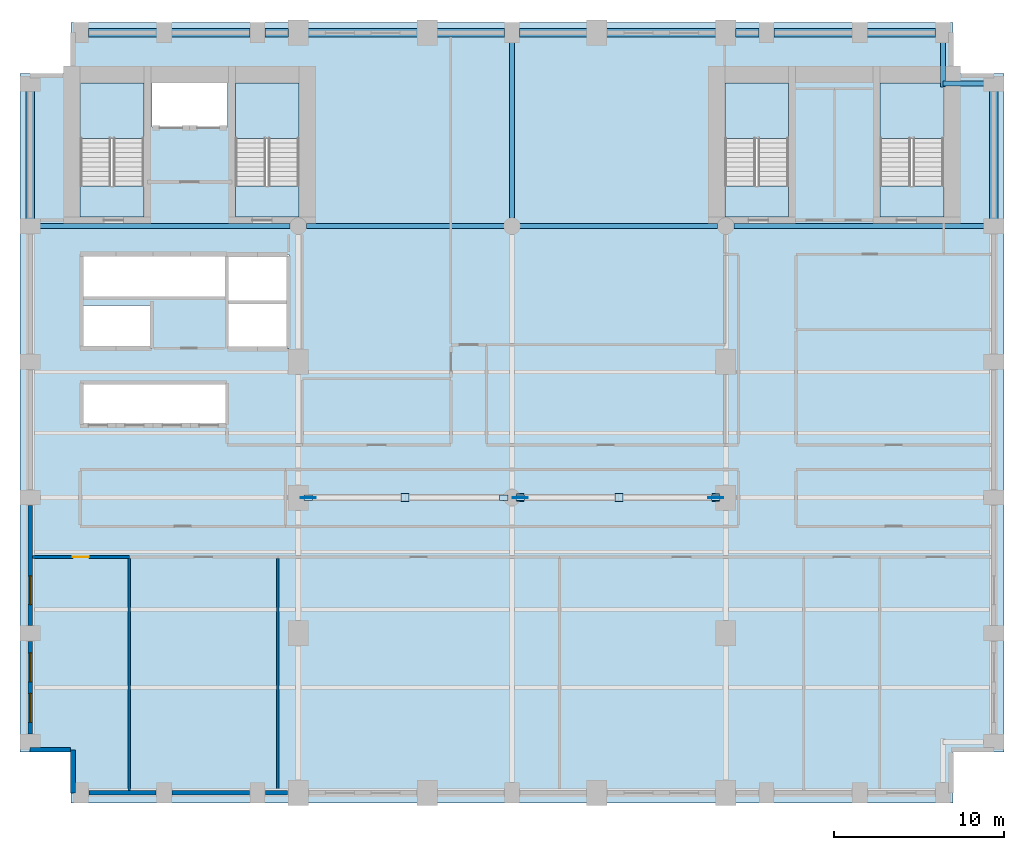
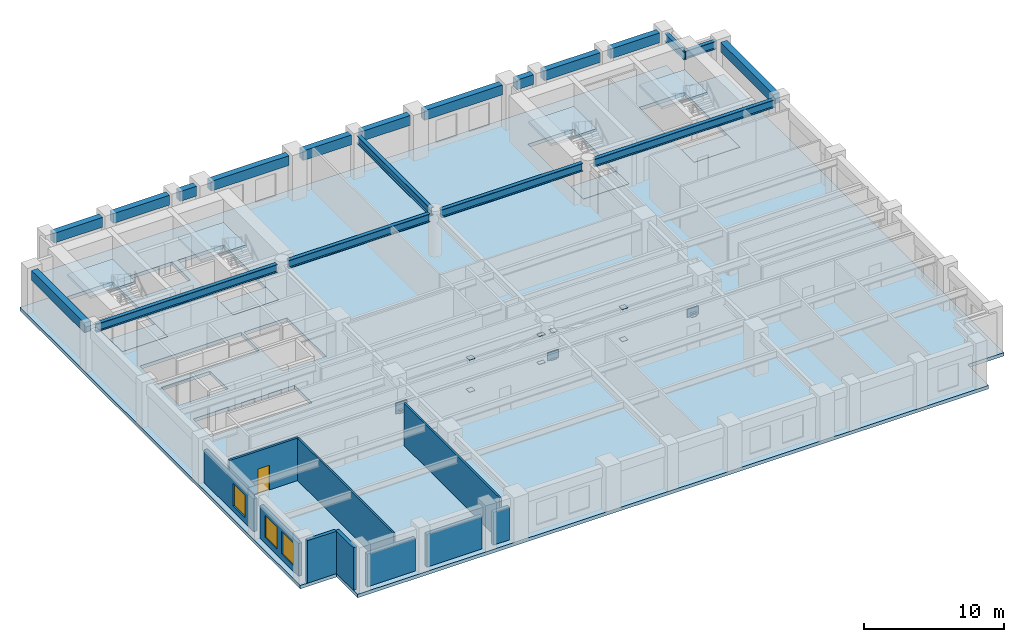
# One storey, part 4 of 10: 19 beams, 16 plates, 10 walls, 9 slabs, 3 windows, 1 door, 4 openings, 4 elements without a shape of their own.
"""IFC4 building model written with IfcOpenShell, lengths in metres."""

from ifc_helpers import new_model, si_unit, direction, frame, frame_2d, origin, origin_2d, place, context, subcontext, project, spatial, polyline, rectangle, i_section, outline, extrude, material, layer, layer_set, material_profile, profile_set, type_object, element, fill, aggregate, save


model = new_model("IFC4")

# Units and contexts
model_context = context("Model", 3, precision=1e-05, world=origin(), true_north=direction((0.0, 1.0)))
body_context = subcontext(model_context, "Body", "Model", "MODEL_VIEW")
ifc_project = project(units=[si_unit("LENGTHUNIT", "METRE"), si_unit("AREAUNIT", "SQUARE_METRE"), si_unit("VOLUMEUNIT", "CUBIC_METRE"), si_unit("PLANEANGLEUNIT", "RADIAN"), si_unit("MASSUNIT", "GRAM", prefix="KILO")], contexts=[model_context])

# Site, building, storey
site_placement = place(None, origin())
site = spatial("IfcSite", under=ifc_project, at=site_placement, CompositionType="ELEMENT")
building_placement = place(site_placement, origin())
building = spatial("IfcBuilding", under=site, at=building_placement, Name="Sulina Concourse Tower", CompositionType="ELEMENT")
storey_placement = place(building_placement, frame((0.0, 0.0, 62.60009765625)))
storey = spatial("IfcBuildingStorey", under=building, at=storey_placement, Name="L15", CompositionType="ELEMENT", Elevation=62.60009765625)

# Beams
ifc_material_1 = material(Name="Steel S355", Category="steel")
ifc_material_profile_1 = material_profile(ifc_material_1, i_section(OverallWidth=0.300048828125, OverallDepth=0.699951171875, WebThickness=0.01708984375, FlangeThickness=0.031982421875, at=origin_2d()), Name="HE 700 B")
ifc_profile_set_1 = profile_set([ifc_material_profile_1], Name="Steel S355")
beam_type_1 = type_object("IfcBeamType", Name="Floor Primary Girder Zone 1 HE700B", PredefinedType="BEAM", material=ifc_profile_set_1)
beam_1_placement = place(storey_placement, frame((54.39990234375, 42.39990234375, 3.349853515625), z_axis=(1.0, 0.0, 0.0), x_axis=(0.0, 1.0, 0.0)))
element("IfcBeam", 1, at=beam_1_placement, inside=storey, type_object=beam_type_1, Name="TIE-NE-L15", PredefinedType="BEAM", context=body_context, shape_type="SweptSolid", body=[
    extrude(i_section(OverallWidth=0.300048828125, OverallDepth=0.699951171875, WebThickness=0.01708984375, FlangeThickness=0.031982421875, at=origin_2d()), origin(), (0.0, 0.0, 1.0), 2.570068359375),
])
beam_2_placement = place(storey_placement, frame((54.39990234375, 42.199951171875, 3.349853515625), z_axis=(0.0, 1.0, 0.0), x_axis=(-1.0, 0.0, 0.0)))
element("IfcBeam", 2, at=beam_2_placement, inside=storey, type_object=beam_type_1, Name="TIE-NEN-L15", PredefinedType="BEAM", context=body_context, shape_type="SweptSolid", body=[
    extrude(i_section(OverallWidth=0.300048828125, OverallDepth=0.699951171875, WebThickness=0.01708984375, FlangeThickness=0.031982421875, at=origin_2d()), origin(), (0.0, 0.0, 1.0), 2.77001953125),
])
beam_3_placement = place(storey_placement, frame((1.030029296875, 34.0, 3.349853515625), z_axis=(1.0, 0.0, 0.0), x_axis=(0.0, 1.0, 0.0)))
element("IfcBeam", 3, at=beam_3_placement, inside=storey, type_object=beam_type_1, Name="FG-EWN1-L15", PredefinedType="BEAM", context=body_context, shape_type="SweptSolid", body=[
    extrude(i_section(OverallWidth=0.300048828125, OverallDepth=0.699951171875, WebThickness=0.01708984375, FlangeThickness=0.031982421875, at=origin_2d()), origin(), (0.0, 0.0, 1.0), 14.889892578125),
])
for number, where, z_axis, x_axis, name in (
    (4, (16.8798828125, 34.0, 3.349853515625), (1.0, 0.0, 0.0), (0.0, 1.0, 0.0), "FG-EWN2-L15"),
    (5, (29.47998046875, 34.0, 3.349853515625), (1.0, 0.0, 0.0), (0.0, 1.0, 0.0), "FG-EWN3-L15"),
):
    element("IfcBeam", number, at=place(storey_placement, frame(where, z_axis=z_axis, x_axis=x_axis)), inside=storey, type_object=beam_type_1, Name=name, PredefinedType="BEAM", context=body_context, shape_type="SweptSolid", body=[
        extrude(i_section(OverallWidth=0.300048828125, OverallDepth=0.699951171875, WebThickness=0.01708984375, FlangeThickness=0.031982421875, at=origin_2d()), origin(), (0.0, 0.0, 1.0), 11.64013671875),
    ])
beam_4_placement = place(storey_placement, frame((42.080078125, 34.0, 3.349853515625), z_axis=(1.0, 0.0, 0.0), x_axis=(0.0, 1.0, 0.0)))
element("IfcBeam", 6, at=beam_4_placement, inside=storey, type_object=beam_type_1, Name="FG-EWN4-L15", PredefinedType="BEAM", context=body_context, shape_type="SweptSolid", body=[
    extrude(i_section(OverallWidth=0.300048828125, OverallDepth=0.699951171875, WebThickness=0.01708984375, FlangeThickness=0.031982421875, at=origin_2d()), origin(), (0.0, 0.0, 1.0), 14.889892578125),
])
beam_5_placement = place(storey_placement, frame((29.0, 34.47998046875, 3.349853515625), z_axis=(0.0, 1.0, 0.0), x_axis=(-1.0, 0.0, 0.0)))
element("IfcBeam", 7, at=beam_5_placement, inside=storey, type_object=beam_type_1, Name="FG-NSC-29-L15", PredefinedType="BEAM", context=body_context, shape_type="SweptSolid", body=[
    extrude(i_section(OverallWidth=0.300048828125, OverallDepth=0.699951171875, WebThickness=0.01708984375, FlangeThickness=0.031982421875, at=origin_2d()), origin(), (0.0, 0.0, 1.0), 10.489990234375),
])
ifc_material_2 = material(Name="Precast concrete C50/60", Category="concrete")
ifc_material_profile_2 = material_profile(ifc_material_2, rectangle(XDim=0.5, YDim=0.85009765625, at=origin_2d()), Name="RC 500x850")
ifc_profile_set_2 = profile_set([ifc_material_profile_2], Name="Precast concrete C50/60")
beam_type_2 = type_object("IfcBeamType", Name="Lower Precast Spandrel Edge Beam 500x850", PredefinedType="BEAM", material=ifc_profile_set_2)
beam_6_placement = place(storey_placement, frame((4.030029296875, 45.39990234375, 3.27490234375), z_axis=(1.0, 0.0, 0.0), x_axis=(0.0, 1.0, 0.0)))
element("IfcBeam", 8, at=beam_6_placement, inside=storey, type_object=beam_type_2, Name="SP-N1-L15", PredefinedType="BEAM", context=body_context, shape_type="SweptSolid", body=[
    extrude(rectangle(XDim=0.5, YDim=0.85009765625, at=origin_2d()), origin(), (0.0, 0.0, 1.0), 4.0400390625),
])
beam_7_placement = place(storey_placement, frame((8.929931640625, 45.39990234375, 3.27490234375), z_axis=(1.0, 0.0, 0.0), x_axis=(0.0, 1.0, 0.0)))
element("IfcBeam", 9, at=beam_7_placement, inside=storey, type_object=beam_type_2, Name="SP-N2-L15", PredefinedType="BEAM", context=body_context, shape_type="SweptSolid", body=[
    extrude(rectangle(XDim=0.5, YDim=0.85009765625, at=origin_2d()), origin(), (0.0, 0.0, 1.0), 4.64013671875),
])
beam_8_placement = place(storey_placement, frame((14.429931640625, 45.39990234375, 3.27490234375), z_axis=(1.0, 0.0, 0.0), x_axis=(0.0, 1.0, 0.0)))
element("IfcBeam", 10, at=beam_8_placement, inside=storey, type_object=beam_type_2, Name="SP-N3-L15", PredefinedType="BEAM", context=body_context, shape_type="SweptSolid", body=[
    extrude(rectangle(XDim=0.5, YDim=0.85009765625, at=origin_2d()), origin(), (0.0, 0.0, 1.0), 1.39013671875),
])
beam_9_placement = place(storey_placement, frame((16.97998046875, 45.39990234375, 3.27490234375), z_axis=(1.0, 0.0, 0.0), x_axis=(0.0, 1.0, 0.0)))
element("IfcBeam", 11, at=beam_9_placement, inside=storey, type_object=beam_type_2, Name="SP-N4-L15", PredefinedType="BEAM", context=body_context, shape_type="SweptSolid", body=[
    extrude(rectangle(XDim=0.5, YDim=0.85009765625, at=origin_2d()), origin(), (0.0, 0.0, 1.0), 6.43994140625),
])
for number, where, z_axis, x_axis, name in (
    (12, (24.580078125, 45.39990234375, 3.27490234375), (1.0, 0.0, 0.0), (0.0, 1.0, 0.0), "SP-N5-L15"),
    (13, (29.429931640625, 45.39990234375, 3.27490234375), (1.0, 0.0, 0.0), (0.0, 1.0, 0.0), "SP-N6-L15"),
):
    element("IfcBeam", number, at=place(storey_placement, frame(where, z_axis=z_axis, x_axis=x_axis)), inside=storey, type_object=beam_type_2, Name=name, PredefinedType="BEAM", context=body_context, shape_type="SweptSolid", body=[
        extrude(rectangle(XDim=0.5, YDim=0.85009765625, at=origin_2d()), origin(), (0.0, 0.0, 1.0), 3.989990234375),
    ])
beam_10_placement = place(storey_placement, frame((34.580078125, 45.39990234375, 3.27490234375), z_axis=(1.0, 0.0, 0.0), x_axis=(0.0, 1.0, 0.0)))
element("IfcBeam", 14, at=beam_10_placement, inside=storey, type_object=beam_type_2, Name="SP-N7-L15", PredefinedType="BEAM", context=body_context, shape_type="SweptSolid", body=[
    extrude(rectangle(XDim=0.5, YDim=0.85009765625, at=origin_2d()), origin(), (0.0, 0.0, 1.0), 6.43994140625),
])
beam_11_placement = place(storey_placement, frame((42.179931640625, 45.39990234375, 3.27490234375), z_axis=(1.0, 0.0, 0.0), x_axis=(0.0, 1.0, 0.0)))
element("IfcBeam", 15, at=beam_11_placement, inside=storey, type_object=beam_type_2, Name="SP-N8-L15", PredefinedType="BEAM", context=body_context, shape_type="SweptSolid", body=[
    extrude(rectangle(XDim=0.5, YDim=0.85009765625, at=origin_2d()), origin(), (0.0, 0.0, 1.0), 1.39013671875),
])
beam_12_placement = place(storey_placement, frame((44.429931640625, 45.39990234375, 3.27490234375), z_axis=(1.0, 0.0, 0.0), x_axis=(0.0, 1.0, 0.0)))
element("IfcBeam", 16, at=beam_12_placement, inside=storey, type_object=beam_type_2, Name="SP-N9-L15", PredefinedType="BEAM", context=body_context, shape_type="SweptSolid", body=[
    extrude(rectangle(XDim=0.5, YDim=0.85009765625, at=origin_2d()), origin(), (0.0, 0.0, 1.0), 4.64013671875),
])
beam_13_placement = place(storey_placement, frame((49.929931640625, 45.39990234375, 3.27490234375), z_axis=(1.0, 0.0, 0.0), x_axis=(0.0, 1.0, 0.0)))
element("IfcBeam", 17, at=beam_13_placement, inside=storey, type_object=beam_type_2, Name="SP-N10-L15", PredefinedType="BEAM", context=body_context, shape_type="SweptSolid", body=[
    extrude(rectangle(XDim=0.5, YDim=0.85009765625, at=origin_2d()), origin(), (0.0, 0.0, 1.0), 4.0400390625),
])
for number, where, z_axis, x_axis, name in (
    (18, (0.60009765625, 34.429931640625, 3.27490234375), (0.0, 1.0, 0.0), (-1.0, 0.0, 0.0), "SP-W5-L15"),
    (19, (57.39990234375, 34.429931640625, 3.27490234375), (0.0, 1.0, 0.0), (-1.0, 0.0, 0.0), "SP-E5-L15"),
):
    element("IfcBeam", number, at=place(storey_placement, frame(where, z_axis=z_axis, x_axis=x_axis)), inside=storey, type_object=beam_type_2, Name=name, PredefinedType="BEAM", context=body_context, shape_type="SweptSolid", body=[
        extrude(rectangle(XDim=0.5, YDim=0.85009765625, at=origin_2d()), origin(), (0.0, 0.0, 1.0), 7.5400390625),
    ])

# Plates
ifc_material_3 = material(Name="Steel S355", Category="steel")
ifc_layer_1 = layer(ifc_material_3, 0.050048828125)
ifc_layer_set_1 = layer_set([ifc_layer_1], Name="Steel S355")
plate_type_1 = type_object("IfcPlateType", Name="Bridge Truss Node Gusset Plate 50mm", PredefinedType="USERDEFINED", material=ifc_layer_set_1)
for number, where, z_axis, x_axis, name in (
    (20, (16.989990234375, 18.0, 0.31982421875), (0.0, 0.0, 1.0), (1.0, 0.0, 0.0), "LBT-CH-1-L15 node gusset plate"),
    (21, (16.989990234375, 18.0, 0.06982421875), (0.0, 0.0, 1.0), (1.0, 0.0, 0.0), "LBT-DG-1-L15 node gusset plate"),
    (22, (29.489990234375, 18.0, 0.31982421875), (0.0, 0.0, 1.0), (1.0, 0.0, 0.0), "LBT-CH-2-L15 node gusset plate"),
    (23, (41.010009765625, 18.0, 0.06982421875), (0.0, 0.0, 1.0), (1.0, 0.0, 0.0), "LBT-DG-2-L15 node gusset plate"),
):
    element("IfcPlate", number, at=place(storey_placement, frame(where, z_axis=z_axis, x_axis=x_axis)), inside=storey, type_object=plate_type_1, Name=name, ObjectType="GUSSET_PLATE", PredefinedType="USERDEFINED", context=body_context, shape_type="SweptSolid", body=[
        extrude(rectangle(XDim=0.89990234375, YDim=0.050048828125, at=origin_2d()), origin(), (0.0, 0.0, 1.0), 0.699951171875),
    ])
ifc_material_4 = material(Name="Steel S355", Category="steel")
ifc_layer_2 = layer(ifc_material_4, 0.035888671875)
ifc_layer_set_2 = layer_set([ifc_layer_2], Name="Steel S355")
plate_type_2 = type_object("IfcPlateType", Name="Heavy RHS500 End-Cap Plate 36mm", PredefinedType="USERDEFINED", material=ifc_layer_set_2)
for number, where, z_axis, x_axis, name in (
    (24, (16.989990234375, 18.0, 0.35205078125), (0.0, 0.0, 1.0), (1.0, 0.0, 0.0), "LBT-CH-1-L15 end cap plate 1"),
    (25, (28.510009765625, 18.0, 0.35205078125), (0.0, 0.0, 1.0), (1.0, 0.0, 0.0), "LBT-CH-1-L15 end cap plate 2"),
    (26, (16.989990234375, 18.0, 0.10205078125), (0.0, 0.0, 1.0), (1.0, 0.0, 0.0), "LBT-DG-1-L15 end cap plate 1"),
    (27, (28.510009765625, 18.0, 2.78173828125), (0.0, 0.0, 1.0), (1.0, 0.0, 0.0), "LBT-DG-1-L15 end cap plate 2"),
    (28, (29.489990234375, 18.0, 0.35205078125), (0.0, 0.0, 1.0), (1.0, 0.0, 0.0), "LBT-CH-2-L15 end cap plate 1"),
    (29, (41.010009765625, 18.0, 0.35205078125), (0.0, 0.0, 1.0), (1.0, 0.0, 0.0), "LBT-CH-2-L15 end cap plate 2"),
):
    element("IfcPlate", number, at=place(storey_placement, frame(where, z_axis=z_axis, x_axis=x_axis)), inside=storey, type_object=plate_type_2, Name=name, ObjectType="CAP_PLATE", PredefinedType="USERDEFINED", context=body_context, shape_type="SweptSolid", body=[
        extrude(rectangle(XDim=0.52001953125, YDim=0.320068359375, at=origin_2d()), origin(), (0.0, 0.0, 1.0), 0.035888671875),
    ])

# Slab
ifc_material_5 = material(Name="Concrete C50/60", Category="concrete")
ifc_layer_3 = layer(ifc_material_5, 0.300048828125)
ifc_layer_set_3 = layer_set([ifc_layer_3], Name="Concrete C50/60")
slab_type_1 = type_object("IfcSlabType", Name="Low-Rise Composite Floor Slab 300mm", PredefinedType="FLOOR", material=ifc_layer_set_3)
slab_1_placement = place(storey_placement, frame((0.0, 0.0, -0.300048828125)))
element("IfcSlab", 30, at=slab_1_placement, inside=storey, type_object=slab_type_1, Name="L15 structural floor slab", PredefinedType="FLOOR", context=body_context, shape_type="SweptSolid", body=[
    extrude(outline(polyline([(3.0, 0.0), (55.0, 0.0), (55.0, 3.0), (58.0, 3.0), (58.0, 43.0), (55.0, 43.0), (55.0, 46.0), (3.0, 46.0), (3.0, 43.0), (0.0, 43.0), (0.0, 3.0), (3.0, 3.0), (3.0, 0.0)]), holes=[polyline([(7.31005859375, 34.550048828125), (7.31005859375, 42.429931640625), (3.550048828125, 42.429931640625), (3.550048828125, 34.550048828125), (7.31005859375, 34.550048828125)]), polyline([(16.449951171875, 34.550048828125), (16.449951171875, 42.429931640625), (12.68994140625, 42.429931640625), (12.68994140625, 34.550048828125), (16.449951171875, 34.550048828125)]), polyline([(45.31005859375, 34.550048828125), (45.31005859375, 42.429931640625), (41.550048828125, 42.429931640625), (41.550048828125, 34.550048828125), (45.31005859375, 34.550048828125)]), polyline([(54.449951171875, 34.550048828125), (54.449951171875, 42.429931640625), (50.68994140625, 42.429931640625), (50.68994140625, 34.550048828125), (54.449951171875, 34.550048828125)]), polyline([(7.780029296875, 39.830078125), (12.219970703125, 39.830078125), (12.219970703125, 42.449951171875), (7.780029296875, 42.449951171875), (7.780029296875, 39.830078125)]), polyline([(3.739990234375, 26.780029296875), (7.77001953125, 26.780029296875), (7.77001953125, 29.320068359375), (3.739990234375, 29.320068359375), (3.739990234375, 26.780029296875)]), polyline([(3.739990234375, 29.780029296875), (12.10009765625, 29.780029296875), (12.10009765625, 32.3701171875), (3.739990234375, 32.3701171875), (3.739990234375, 29.780029296875)]), polyline([(3.739990234375, 22.280029296875), (12.10009765625, 22.280029296875), (12.10009765625, 24.77001953125), (3.739990234375, 24.77001953125), (3.739990234375, 22.280029296875)]), polyline([(12.280029296875, 26.780029296875), (15.85009765625, 26.780029296875), (15.85009765625, 32.320068359375), (12.280029296875, 32.320068359375), (12.280029296875, 26.780029296875)])]), origin(), (0.0, 0.0, 1.0), 0.300048828125),
])

# Plates
ifc_material_6 = material(Name="Steel S355", Category="steel")
ifc_layer_4 = layer(ifc_material_6, 0.028076171875)
ifc_layer_set_4 = layer_set([ifc_layer_4], Name="Steel S355")
plate_type_3 = type_object("IfcPlateType", Name="Medium Hollow Section End-Cap Plate 28mm", PredefinedType="USERDEFINED", material=ifc_layer_set_4)
for number, where, z_axis, x_axis, name in (
    (31, (22.699951171875, 18.0, -0.00927734375), (0.0, 0.0, 1.0), (1.0, 0.0, 0.0), "LBT-VP-1-L15 end cap plate 1"),
    (32, (22.699951171875, 18.0, 2.78564453125), (0.0, 0.0, 1.0), (1.0, 0.0, 0.0), "LBT-VP-1-L15 end cap plate 2"),
    (33, (41.010009765625, 18.0, 0.10595703125), (0.0, 0.0, 1.0), (1.0, 0.0, 0.0), "LBT-DG-2-L15 end cap plate 1"),
    (34, (29.489990234375, 18.0, 2.78564453125), (0.0, 0.0, 1.0), (1.0, 0.0, 0.0), "LBT-DG-2-L15 end cap plate 2"),
    (35, (35.300048828125, 18.0, -0.00927734375), (0.0, 0.0, 1.0), (1.0, 0.0, 0.0), "LBT-VP-2-L15 end cap plate 1"),
    (36, (35.300048828125, 18.0, 2.78564453125), (0.0, 0.0, 1.0), (1.0, 0.0, 0.0), "LBT-VP-2-L15 end cap plate 2"),
):
    element("IfcPlate", number, at=place(storey_placement, frame(where, z_axis=z_axis, x_axis=x_axis)), inside=storey, type_object=plate_type_3, Name=name, ObjectType="CAP_PLATE", PredefinedType="USERDEFINED", context=body_context, shape_type="SweptSolid", body=[
        extrude(rectangle(XDim=0.4599609375, YDim=0.4599609375, at=origin_2d()), origin(), (0.0, 0.0, 1.0), 0.028076171875),
    ])

# Slabs
ifc_material_7 = material(Name="Concrete C50/60", Category="concrete")
ifc_layer_5 = layer(ifc_material_7, 0.199951171875)
ifc_layer_set_5 = layer_set([ifc_layer_5], Name="Concrete C50/60")
slab_type_2 = type_object("IfcSlabType", Name="Primary Core Stair Landing Slab 200mm", PredefinedType="LANDING", material=ifc_layer_set_5)
slab_2_placement = place(storey_placement, frame((0.0, 0.0, -0.2001953125)))
element("IfcSlab", 37, at=slab_2_placement, inside=storey, type_object=slab_type_2, Name="L15 ST-1 floor landing slab", PredefinedType="LANDING", context=body_context, shape_type="SweptSolid", body=[
    extrude(outline(polyline([(7.31005859375, 34.550048828125), (7.31005859375, 36.375), (3.550048828125, 36.375), (3.550048828125, 34.550048828125), (7.31005859375, 34.550048828125)])), origin(), (0.0, 0.0, 1.0), 0.2001953125),
])
slab_3_placement = place(storey_placement, frame((0.0, 0.0, -0.2001953125)))
element("IfcSlab", 38, at=slab_3_placement, inside=storey, type_object=slab_type_2, Name="L15 ST-2 floor landing slab", PredefinedType="LANDING", context=body_context, shape_type="SweptSolid", body=[
    extrude(outline(polyline([(16.449951171875, 34.550048828125), (16.449951171875, 36.375), (12.68994140625, 36.375), (12.68994140625, 34.550048828125), (16.449951171875, 34.550048828125)])), origin(), (0.0, 0.0, 1.0), 0.2001953125),
])
slab_4_placement = place(storey_placement, frame((0.0, 0.0, -0.2001953125)))
element("IfcSlab", 39, at=slab_4_placement, inside=storey, type_object=slab_type_2, Name="L15 ST-3 floor landing slab", PredefinedType="LANDING", context=body_context, shape_type="SweptSolid", body=[
    extrude(outline(polyline([(45.31005859375, 34.550048828125), (45.31005859375, 36.375), (41.550048828125, 36.375), (41.550048828125, 34.550048828125), (45.31005859375, 34.550048828125)])), origin(), (0.0, 0.0, 1.0), 0.2001953125),
])
slab_5_placement = place(storey_placement, frame((0.0, 0.0, -0.2001953125)))
element("IfcSlab", 40, at=slab_5_placement, inside=storey, type_object=slab_type_2, Name="L15 ST-4 floor landing slab", PredefinedType="LANDING", context=body_context, shape_type="SweptSolid", body=[
    extrude(outline(polyline([(54.449951171875, 34.550048828125), (54.449951171875, 36.375), (50.68994140625, 36.375), (50.68994140625, 34.550048828125), (54.449951171875, 34.550048828125)])), origin(), (0.0, 0.0, 1.0), 0.2001953125),
])

# Stair, slab
ifc_material_8 = material(Name="Concrete C50/60", Category="concrete")
stair_type_1 = type_object("IfcStairType", Name="Primary Core Dog-Leg Exit Stair 1800mm", PredefinedType="HALF_TURN_STAIR", material=ifc_material_8)
stair_1_placement = place(storey_placement, origin())
stair_1 = element("IfcStair", 41, at=stair_1_placement, inside=storey, type_object=stair_type_1, Name="L15 ST-1", PredefinedType="HALF_TURN_STAIR")
slab_6_placement = place(storey_placement, frame((0.0, 0.0, 1.7998046875)))
slab_6 = element("IfcSlab", 42, at=slab_6_placement, type_object=slab_type_2, Name="ST-1 landing 1", PredefinedType="LANDING", context=body_context, shape_type="SweptSolid", body=[
    extrude(outline(polyline([(7.304931640625, 39.175048828125), (7.304931640625, 42.425048828125), (3.554931640625, 42.425048828125), (3.554931640625, 39.175048828125), (7.304931640625, 39.175048828125)])), origin(), (0.0, 0.0, 1.0), 0.2001953125),
])
aggregate(stair_1, [slab_6])

stair_2_placement = place(storey_placement, origin())
stair_2 = element("IfcStair", 43, at=stair_2_placement, inside=storey, type_object=stair_type_1, Name="L15 ST-2", PredefinedType="HALF_TURN_STAIR")
slab_7_placement = place(storey_placement, frame((0.0, 0.0, 1.7998046875)))
slab_7 = element("IfcSlab", 44, at=slab_7_placement, type_object=slab_type_2, Name="ST-2 landing 1", PredefinedType="LANDING", context=body_context, shape_type="SweptSolid", body=[
    extrude(outline(polyline([(16.445068359375, 39.175048828125), (16.445068359375, 42.425048828125), (12.695068359375, 42.425048828125), (12.695068359375, 39.175048828125), (16.445068359375, 39.175048828125)])), origin(), (0.0, 0.0, 1.0), 0.2001953125),
])
aggregate(stair_2, [slab_7])

ifc_material_9 = material(Name="Concrete C50/60", Category="concrete")
stair_type_2 = type_object("IfcStairType", Name="Portal & Podium Core Exit Stair 1820mm", PredefinedType="HALF_TURN_STAIR", material=ifc_material_9)
stair_3_placement = place(storey_placement, origin())
stair_3 = element("IfcStair", 45, at=stair_3_placement, inside=storey, type_object=stair_type_2, Name="L15 ST-3", PredefinedType="HALF_TURN_STAIR")
slab_8_placement = place(storey_placement, frame((0.0, 0.0, 1.7998046875)))
slab_8 = element("IfcSlab", 46, at=slab_8_placement, type_object=slab_type_2, Name="ST-3 landing 1", PredefinedType="LANDING", context=body_context, shape_type="SweptSolid", body=[
    extrude(outline(polyline([(45.304931640625, 39.175048828125), (45.304931640625, 42.425048828125), (41.554931640625, 42.425048828125), (41.554931640625, 39.175048828125), (45.304931640625, 39.175048828125)])), origin(), (0.0, 0.0, 1.0), 0.2001953125),
])
aggregate(stair_3, [slab_8])

stair_4_placement = place(storey_placement, origin())
stair_4 = element("IfcStair", 47, at=stair_4_placement, inside=storey, type_object=stair_type_2, Name="L15 ST-4", PredefinedType="HALF_TURN_STAIR")
slab_9_placement = place(storey_placement, frame((0.0, 0.0, 1.7998046875)))
slab_9 = element("IfcSlab", 48, at=slab_9_placement, type_object=slab_type_2, Name="ST-4 landing 1", PredefinedType="LANDING", context=body_context, shape_type="SweptSolid", body=[
    extrude(outline(polyline([(54.445068359375, 39.175048828125), (54.445068359375, 42.425048828125), (50.695068359375, 42.425048828125), (50.695068359375, 39.175048828125), (54.445068359375, 39.175048828125)])), origin(), (0.0, 0.0, 1.0), 0.2001953125),
])
aggregate(stair_4, [slab_9])

# Walls
ifc_material_10 = material(Name="Gypsum board on steel stud", Category="steel")
ifc_layer_6 = layer(ifc_material_10, 0.14990234375)
ifc_layer_set_6 = layer_set([ifc_layer_6], Name="Gypsum board on steel stud")
wall_type_1 = type_object("IfcWallType", Name="Inter-Tenancy Acoustic Partition 150mm", PredefinedType="PARTITIONING", material=ifc_layer_set_6)
for number, where, z_axis, x_axis, name in (
    (49, (6.43994140625, 0.739990234375, 0.0), (0.0, 0.0, 1.0), (0.0, 1.0, 0.0), "L15 interior partition 030"),
    (50, (15.199951171875, 0.739990234375, 0.0), (0.0, 0.0, 1.0), (0.0, 1.0, 0.0), "L15 interior partition 032"),
):
    element("IfcWall", number, at=place(storey_placement, frame(where, z_axis=z_axis, x_axis=x_axis)), inside=storey, type_object=wall_type_1, Name=name, PredefinedType="PARTITIONING", context=body_context, shape_type="SweptSolid", body=[
        extrude(rectangle(XDim=13.669921875, YDim=0.14990234375, at=frame_2d((6.8349609375, 0.0))), origin(), (0.0, 0.0, 1.0), 3.699951171875),
    ])

# Wall, opening, door
ifc_material_11 = material(Name="Gypsum board on steel stud", Category="steel")
ifc_layer_7 = layer(ifc_material_11, 0.179931640625)
ifc_layer_set_7 = layer_set([ifc_layer_7], Name="Gypsum board on steel stud")
wall_type_2 = type_object("IfcWallType", Name="Protected Corridor & Riser Partition 180mm", PredefinedType="PARTITIONING", material=ifc_layer_set_7)
wall_1_placement = place(storey_placement, frame((0.739990234375, 14.5, 0.0), z_axis=(0.0, 0.0, 1.0), x_axis=(1.0, 0.0, 0.0)))
wall_1 = element("IfcWall", 51, at=wall_1_placement, inside=storey, type_object=wall_type_2, Name="L15 interior partition 001", PredefinedType="PARTITIONING", context=body_context, shape_type="SweptSolid", body=[
    extrude(rectangle(XDim=5.699951171875, YDim=0.179931640625, at=frame_2d((2.85009765625, 0.0))), origin(), (0.0, 0.0, 1.0), 3.699951171875),
])
opening_1_placement = place(wall_1_placement, frame((2.375, 0.0, 0.0)))
opening_1 = element("IfcOpeningElement", 52, at=opening_1_placement, cuts=wall_1, Name="Opening DR-19", PredefinedType="OPENING", context=body_context, shape_type="SweptSolid", body=[
    extrude(rectangle(XDim=0.949951171875, YDim=2.14990234375, at=frame_2d((0.47509765625, 1.074951171875))), frame((0.0, 0.099853515625, 0.0), z_axis=(0.0, -1.0, 0.0), x_axis=(1.0, 0.0, 0.0)), (0.0, 0.0, 1.0), 0.199951171875),
])
ifc_material_12 = material(Name="Oak-veneered acoustic timber leaf", Category="wood")
ifc_layer_8 = layer(ifc_material_12, 0.050048828125)
ifc_layer_set_8 = layer_set([ifc_layer_8], Name="Oak-veneered acoustic timber leaf")
door_type = type_object("IfcDoorType", Name="Cellular Office & Meeting Door 950x2150", OperationType="NOTDEFINED", PredefinedType="DOOR", material=ifc_layer_set_8)
door_placement = place(opening_1_placement, origin())
door = element("IfcDoor", 53, at=door_placement, inside=storey, type_object=door_type, Name="L15 interior door L15-S01A", OperationType="SINGLE_SWING_LEFT", OverallHeight=2.14990234375, OverallWidth=0.949951171875, PredefinedType="DOOR", context=body_context, shape_type="SweptSolid", body=[
    extrude(rectangle(XDim=0.949951171875, YDim=2.14990234375, at=frame_2d((0.47509765625, 1.074951171875))), frame((0.0, 0.02490234375, 0.0), z_axis=(0.0, -1.0, 0.0), x_axis=(1.0, 0.0, 0.0)), (0.0, 0.0, 1.0), 0.050048828125),
])
fill(opening_1, door)

# Walls
ifc_material_13 = material(Name="Precast concrete C50/60", Category="concrete")
ifc_layer_9 = layer(ifc_material_13, 0.280029296875)
ifc_layer_set_9 = layer_set([ifc_layer_9], Name="Precast concrete C50/60")
wall_type_3 = type_object("IfcWallType", Name="Typical Precast Masonry-Frame Facade Wall 280mm", PredefinedType="SOLIDWALL", material=ifc_layer_set_9)
wall_2_placement = place(storey_placement, frame((8.030029296875, 0.60009765625, 0.0), z_axis=(0.0, 0.0, 1.0), x_axis=(-1.0, 0.0, 0.0)))
element("IfcWall", 54, at=wall_2_placement, inside=storey, type_object=wall_type_3, Name="L15 exterior precast wall S1", PredefinedType="SOLIDWALL", context=body_context, shape_type="SweptSolid", body=[
    extrude(rectangle(XDim=3.9599609375, YDim=0.280029296875, at=frame_2d((1.97998046875, 0.0))), origin(), (0.0, 0.0, 1.0), 2.849853515625),
])
wall_3_placement = place(storey_placement, frame((13.530029296875, 0.60009765625, 0.0), z_axis=(0.0, 0.0, 1.0), x_axis=(-1.0, 0.0, 0.0)))
element("IfcWall", 55, at=wall_3_placement, inside=storey, type_object=wall_type_3, Name="L15 exterior precast wall S2", PredefinedType="SOLIDWALL", context=body_context, shape_type="SweptSolid", body=[
    extrude(rectangle(XDim=4.56005859375, YDim=0.280029296875, at=frame_2d((2.280029296875, 0.0))), origin(), (0.0, 0.0, 1.0), 2.849853515625),
])
wall_4_placement = place(storey_placement, frame((15.780029296875, 0.60009765625, 0.0), z_axis=(0.0, 0.0, 1.0), x_axis=(-1.0, 0.0, 0.0)))
element("IfcWall", 56, at=wall_4_placement, inside=storey, type_object=wall_type_3, Name="L15 exterior precast wall S3", PredefinedType="SOLIDWALL", context=body_context, shape_type="SweptSolid", body=[
    extrude(rectangle(XDim=1.31005859375, YDim=0.280029296875, at=frame_2d((0.655029296875, 0.0))), origin(), (0.0, 0.0, 1.0), 2.849853515625),
])

# Wall, openings, windows
wall_5_placement = place(storey_placement, frame((0.60009765625, 4.070068359375, 0.0), z_axis=(0.0, 0.0, 1.0), x_axis=(0.0, 1.0, 0.0)))
wall_5 = element("IfcWall", 57, at=wall_5_placement, inside=storey, type_object=wall_type_3, Name="L15 exterior precast wall W1", PredefinedType="SOLIDWALL", context=body_context, shape_type="SweptSolid", body=[
    extrude(rectangle(XDim=5.4599609375, YDim=0.280029296875, at=frame_2d((2.72998046875, 0.0))), origin(), (0.0, 0.0, 1.0), 2.849853515625),
])
opening_2_placement = place(wall_5_placement, frame((0.686767578125, 0.0, 0.5)))
opening_2 = element("IfcOpeningElement", 58, at=opening_2_placement, cuts=wall_5, Name="Opening WN-66", PredefinedType="OPENING", context=body_context, shape_type="SweptSolid", body=[
    extrude(rectangle(XDim=1.699951171875, YDim=1.949951171875, at=frame_2d((0.85009765625, 0.97509765625))), frame((0.0, 0.14990234375, 0.0), z_axis=(0.0, -1.0, 0.0), x_axis=(1.0, 0.0, 0.0)), (0.0, 0.0, 1.0), 0.300048828125),
])
opening_3_placement = place(wall_5_placement, frame((3.0732421875, 0.0, 0.5)))
opening_3 = element("IfcOpeningElement", 59, at=opening_3_placement, cuts=wall_5, Name="Opening WN-66", PredefinedType="OPENING", context=body_context, shape_type="SweptSolid", body=[
    extrude(rectangle(XDim=1.699951171875, YDim=1.949951171875, at=frame_2d((0.85009765625, 0.97509765625))), frame((0.0, 0.14990234375, 0.0), z_axis=(0.0, -1.0, 0.0), x_axis=(1.0, 0.0, 0.0)), (0.0, 0.0, 1.0), 0.300048828125),
])
ifc_material_14 = material(Name="Low-E solar double glazing in bronze aluminium", Category="aluminium")
window_type = type_object("IfcWindowType", Name="Recessed Spandrel Window 1700x1950", PartitioningType="SINGLE_PANEL", PredefinedType="WINDOW", material=ifc_material_14)
window_1_placement = place(opening_2_placement, origin())
window_1 = element("IfcWindow", 60, at=window_1_placement, inside=storey, type_object=window_type, Name="L15 punched window W1-1", OverallHeight=1.949951171875, OverallWidth=1.699951171875, PartitioningType="SINGLE_PANEL", PredefinedType="WINDOW", context=body_context, shape_type="SweptSolid", body=[
    extrude(rectangle(XDim=1.699951171875, YDim=1.949951171875, at=frame_2d((0.85009765625, 0.97509765625))), frame((0.0, 0.030029296875, 0.0), z_axis=(0.0, -1.0, 0.0), x_axis=(1.0, 0.0, 0.0)), (0.0, 0.0, 1.0), 0.06005859375),
])
fill(opening_2, window_1)
window_2_placement = place(opening_3_placement, origin())
window_2 = element("IfcWindow", 61, at=window_2_placement, inside=storey, type_object=window_type, Name="L15 punched window W1-2", OverallHeight=1.949951171875, OverallWidth=1.699951171875, PartitioningType="SINGLE_PANEL", PredefinedType="WINDOW", context=body_context, shape_type="SweptSolid", body=[
    extrude(rectangle(XDim=1.699951171875, YDim=1.949951171875, at=frame_2d((0.85009765625, 0.97509765625))), frame((0.0, 0.030029296875, 0.0), z_axis=(0.0, -1.0, 0.0), x_axis=(1.0, 0.0, 0.0)), (0.0, 0.0, 1.0), 0.06005859375),
])
fill(opening_3, window_2)

# Wall, opening, window
wall_6_placement = place(storey_placement, frame((0.60009765625, 10.469970703125, 0.0), z_axis=(0.0, 0.0, 1.0), x_axis=(0.0, 1.0, 0.0)))
wall_6 = element("IfcWall", 62, at=wall_6_placement, inside=storey, type_object=wall_type_3, Name="L15 exterior precast wall W2", PredefinedType="SOLIDWALL", context=body_context, shape_type="SweptSolid", body=[
    extrude(rectangle(XDim=7.06005859375, YDim=0.280029296875, at=frame_2d((3.530029296875, 0.0))), origin(), (0.0, 0.0, 1.0), 2.849853515625),
])
opening_4_placement = place(wall_6_placement, frame((1.219970703125, 0.0, 0.5)))
opening_4 = element("IfcOpeningElement", 63, at=opening_4_placement, cuts=wall_6, Name="Opening WN-66", PredefinedType="OPENING", context=body_context, shape_type="SweptSolid", body=[
    extrude(rectangle(XDim=1.699951171875, YDim=1.949951171875, at=frame_2d((0.85009765625, 0.97509765625))), frame((0.0, 0.14990234375, 0.0), z_axis=(0.0, -1.0, 0.0), x_axis=(1.0, 0.0, 0.0)), (0.0, 0.0, 1.0), 0.300048828125),
])
window_3_placement = place(opening_4_placement, origin())
window_3 = element("IfcWindow", 64, at=window_3_placement, inside=storey, type_object=window_type, Name="L15 punched window W2-1", OverallHeight=1.949951171875, OverallWidth=1.699951171875, PartitioningType="SINGLE_PANEL", PredefinedType="WINDOW", context=body_context, shape_type="SweptSolid", body=[
    extrude(rectangle(XDim=1.699951171875, YDim=1.949951171875, at=frame_2d((0.85009765625, 0.97509765625))), frame((0.0, 0.030029296875, 0.0), z_axis=(0.0, -1.0, 0.0), x_axis=(1.0, 0.0, 0.0)), (0.0, 0.0, 1.0), 0.06005859375),
])
fill(opening_4, window_3)

# Walls
wall_7_placement = place(storey_placement, frame((3.1298828125, 0.60009765625, 0.0), z_axis=(0.0, 0.0, 1.0), x_axis=(0.0, 1.0, 0.0)))
element("IfcWall", 65, at=wall_7_placement, inside=storey, type_object=wall_type_3, Name="L15 exterior precast wall CSW1", PredefinedType="SOLIDWALL", context=body_context, shape_type="SweptSolid", body=[
    extrude(rectangle(XDim=2.52978515625, YDim=0.280029296875, at=frame_2d((1.264892578125, 0.0))), origin(), (0.0, 0.0, 1.0), 3.699951171875),
])
wall_8_placement = place(storey_placement, frame((2.985107421875, 3.1298828125, 0.0), z_axis=(0.0, 0.0, 1.0), x_axis=(-1.0, 0.0, 0.0)))
element("IfcWall", 66, at=wall_8_placement, inside=storey, type_object=wall_type_3, Name="L15 exterior precast wall CSW2", PredefinedType="SOLIDWALL", context=body_context, shape_type="SweptSolid", body=[
    extrude(rectangle(XDim=2.385009765625, YDim=0.280029296875, at=frame_2d((1.1923828125, 0.0))), origin(), (0.0, 0.0, 1.0), 3.699951171875),
])

save(model, "model.ifc")
